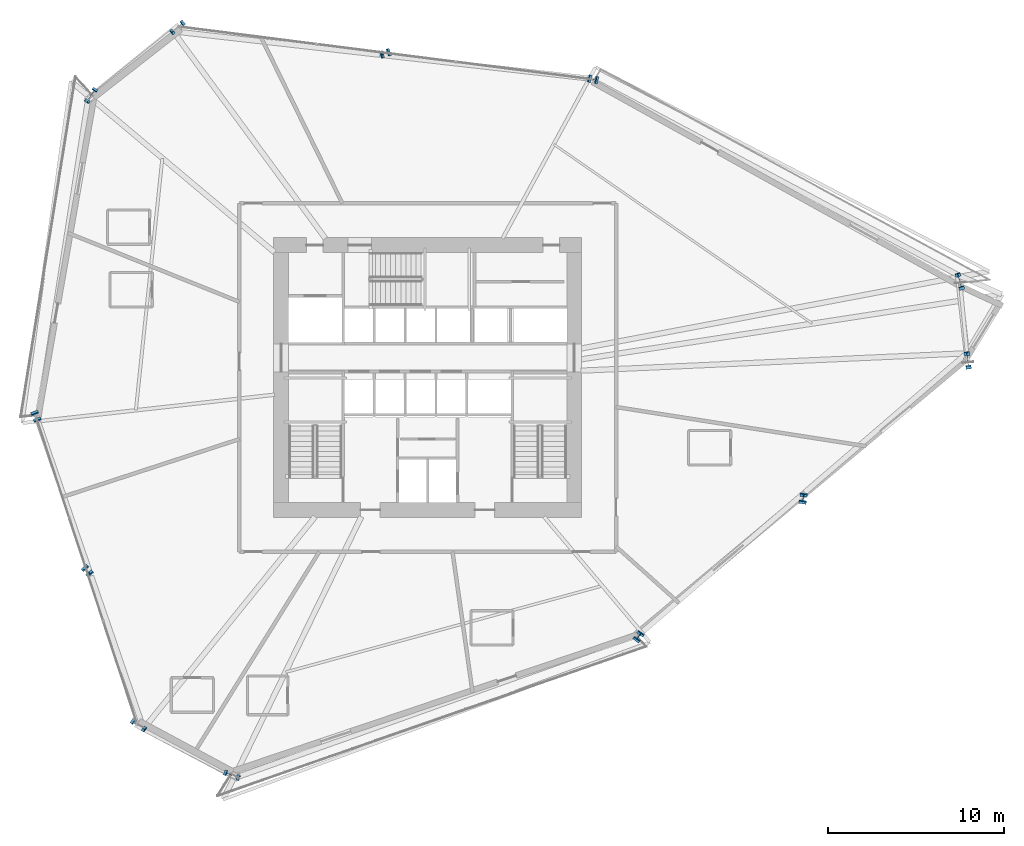
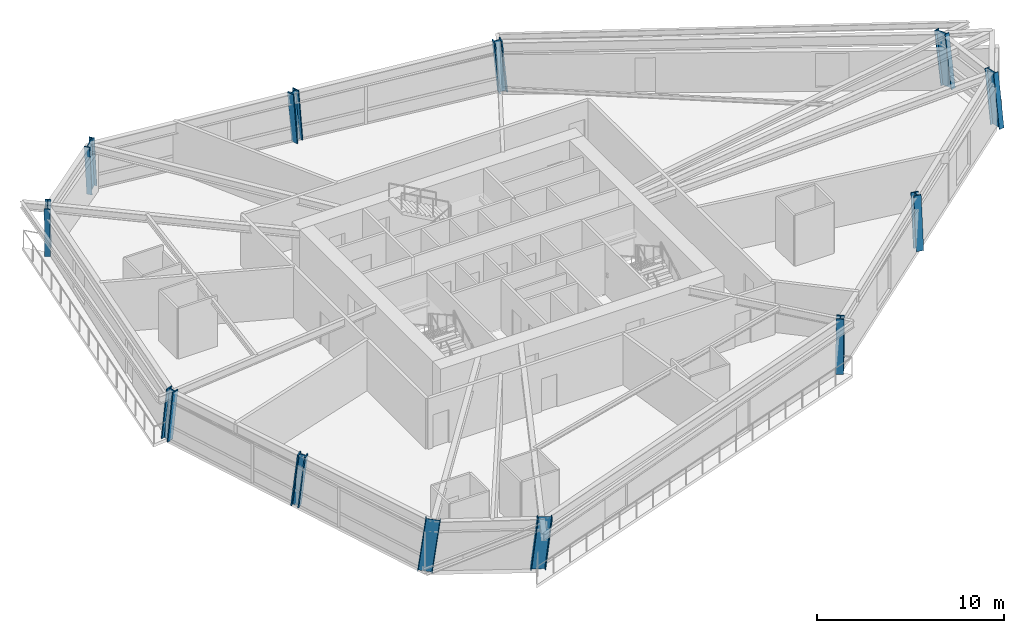
# One storey, part 1 of 22: 12 columns.
"""IFC4 building model written with IfcOpenShell, lengths in metres."""

import ifcopenshell
import ifcopenshell.guid

model = None  # the IFC model being written
_history = None  # IfcOwnerHistory: only IFC2X3 demands one
_inside = {}  # id of a spatial element -> (the spatial element, [elements in it])
_under = {}  # id of a project, library or spatial element -> (it, [spatial elements below it])
_declared = {}  # id of a project -> (the project, [libraries it declares])
_typed = {}  # id of a type object -> (the type object, [elements of that type])
_made_of = {}  # id of a material, layer set ... -> (it, [elements and type objects made of it])


def new_model(schema):
    """Start an empty IFC model of exactly this schema.

    Asked for "IFC4X3", IfcOpenShell would pick the latest addendum, in which some entities
    have other attributes; the version numbers below select the first issue.
    IFC2X3 requires an IfcOwnerHistory on every rooted entity: one is made here for all.
    """
    global model, _history
    if schema == "IFC4X3":
        model = ifcopenshell.file(schema_version=(4, 3, 0, 0))
    else:
        model = ifcopenshell.file(schema=schema)
    _inside.clear()
    _under.clear()
    _declared.clear()
    _typed.clear()
    _made_of.clear()
    _history = None
    if model.schema == "IFC2X3":
        org = make("IfcOrganization", Name="unknown")
        user = make(
            "IfcPersonAndOrganization",
            ThePerson=make("IfcPerson", FamilyName="unknown"),
            TheOrganization=org,
        )
        app = make(
            "IfcApplication",
            ApplicationDeveloper=org,
            Version="unknown",
            ApplicationFullName="unknown",
            ApplicationIdentifier="unknown",
        )
        _history = make(
            "IfcOwnerHistory",
            OwningUser=user,
            OwningApplication=app,
            ChangeAction="ADDED",
            CreationDate=0,
        )
    return model


def make(cls, **values):
    """One entity of the class cls with the attributes given. An attribute that is None is left unset."""
    return model.create_entity(
        cls, **{name: value for name, value in values.items() if value is not None}
    )


def rooted(cls, **values):
    """An entity with a GlobalId (a new one), such as an element, a storey or a relation."""
    return make(cls, GlobalId=ifcopenshell.guid.new(), OwnerHistory=_history, **values)


def si_unit(unit_type, name, prefix=None):
    """IfcSIUnit, for example si_unit("LENGTHUNIT", "METRE", prefix="MILLI")."""
    return make("IfcSIUnit", UnitType=unit_type, Prefix=prefix, Name=name)


def assignment(units):
    """IfcUnitAssignment: the units of a project."""
    return None if units is None else make("IfcUnitAssignment", Units=units)


def point(xyz):
    """IfcCartesianPoint."""
    return None if xyz is None else make("IfcCartesianPoint", Coordinates=xyz)


def direction(xyz):
    """IfcDirection."""
    return None if xyz is None else make("IfcDirection", DirectionRatios=xyz)


def frame(location, z_axis=None, x_axis=None):
    """IfcAxis2Placement3D, a coordinate frame: its origin and axes. An axis left out is left unset."""
    return make(
        "IfcAxis2Placement3D",
        Location=point(location),
        Axis=direction(z_axis),
        RefDirection=direction(x_axis),
    )


def frame_2d(location, x_axis=None):
    """IfcAxis2Placement2D, a coordinate frame in the plane: its origin and x axis."""
    return make(
        "IfcAxis2Placement2D", Location=point(location), RefDirection=direction(x_axis)
    )


def origin():
    """The frame at (0, 0, 0) with its axes left unset."""
    return frame((0.0, 0.0, 0.0))


def origin_2d():
    """The frame at (0, 0) in the plane with its x axis left unset."""
    return frame_2d((0.0, 0.0))


def place(relative_to, where):
    """IfcLocalPlacement: puts the frame where relative to a parent placement (None: the world)."""
    return make(
        "IfcLocalPlacement", PlacementRelTo=relative_to, RelativePlacement=where
    )


def context(
    kind, dimensions, precision=None, world=None, true_north=None, identifier=None
):
    """IfcGeometricRepresentationContext, for example the 3D "Model" context."""
    return make(
        "IfcGeometricRepresentationContext",
        ContextIdentifier=identifier,
        ContextType=kind,
        CoordinateSpaceDimension=dimensions,
        Precision=precision,
        WorldCoordinateSystem=world,
        TrueNorth=true_north,
    )


def subcontext(parent, identifier, kind, view, scale=None):
    """IfcGeometricRepresentationSubContext, for example "Body" below "Model"."""
    return make(
        "IfcGeometricRepresentationSubContext",
        ContextIdentifier=identifier,
        ContextType=kind,
        ParentContext=parent,
        TargetScale=scale,
        TargetView=view,
    )


def project(units=None, contexts=None):
    """IfcProject with its units and contexts."""
    return rooted(
        "IfcProject",
        Name="project",
        RepresentationContexts=contexts,
        UnitsInContext=assignment(units),
    )


def spatial(cls, under=None, at=None, **own):
    """A site, building, storey or space (cls), placed at a placement, below another one or the project."""
    s = rooted(cls, ObjectPlacement=at, **own)
    if under is not None:
        _under.setdefault(under.id(), (under, []))[1].append(s)
    return s


def profile(cls, at=None, kind="AREA", **sizes):
    """A parametric profile (cls). Its sizes go by their IFC names, for example OverallWidth=200.0."""
    return make(cls, ProfileType=kind, Position=at, **sizes)


def i_section(**sizes):
    """IfcIShapeProfileDef."""
    return profile("IfcIShapeProfileDef", **sizes)


def extrude(swept, where, along, depth):
    """IfcExtrudedAreaSolid: the profile swept, set in the frame where, extruded along a direction by depth."""
    return make(
        "IfcExtrudedAreaSolid",
        SweptArea=swept,
        Position=where,
        ExtrudedDirection=direction(along),
        Depth=depth,
    )


def shape(context_of_items, identifier, shape_type, items):
    """IfcShapeRepresentation: the items that make up one representation, for example the "Body"."""
    return make(
        "IfcShapeRepresentation",
        ContextOfItems=context_of_items,
        RepresentationIdentifier=identifier,
        RepresentationType=shape_type,
        Items=items,
    )


def source(mapping_origin, context_of_items, identifier, shape_type, items):
    """IfcRepresentationMap: a shape defined once, which mapped items show again and again."""
    return make(
        "IfcRepresentationMap",
        MappingOrigin=mapping_origin,
        MappedRepresentation=shape(context_of_items, identifier, shape_type, items),
    )


def transform(
    local_origin,
    x_axis=None,
    y_axis=None,
    z_axis=None,
    scale=None,
    scale2=None,
    scale3=None,
    uniform=True,
):
    """IfcCartesianTransformationOperator3D, or its non-uniform kind. x_axis, y_axis, z_axis: its Axis1, 2, 3."""
    if uniform:
        return make(
            "IfcCartesianTransformationOperator3D",
            Axis1=direction(x_axis),
            Axis2=direction(y_axis),
            LocalOrigin=point(local_origin),
            Scale=scale,
            Axis3=direction(z_axis),
        )
    return make(
        "IfcCartesianTransformationOperator3DnonUniform",
        Axis1=direction(x_axis),
        Axis2=direction(y_axis),
        LocalOrigin=point(local_origin),
        Scale=scale,
        Axis3=direction(z_axis),
        Scale2=scale2,
        Scale3=scale3,
    )


def mapped(mapping_source, mapping_target):
    """IfcMappedItem: shows the shape of a source again, moved by a transform."""
    return make(
        "IfcMappedItem", MappingSource=mapping_source, MappingTarget=mapping_target
    )


def material(Name=None, Category=None):
    """IfcMaterial."""
    return make("IfcMaterial", Name=Name, Category=Category)


def material_profile(
    of_material, cross_section, Name=None, Category=None, Priority=None
):
    """IfcMaterialProfile: a cross section and its material."""
    return make(
        "IfcMaterialProfile",
        Name=Name,
        Material=of_material,
        Profile=cross_section,
        Priority=Priority,
        Category=Category,
    )


def profile_set(profiles, Name=None, composite=None):
    """IfcMaterialProfileSet."""
    return make(
        "IfcMaterialProfileSet",
        Name=Name,
        MaterialProfiles=profiles,
        CompositeProfile=composite,
    )


def made_of(thing, what):
    """Note that an element or type object is made of a material, layer set ...; save() writes the relation."""
    if what is not None:
        _made_of.setdefault(what.id(), (what, []))[1].append(thing)
    return thing


def type_object(cls, material=None, **own):
    """A type object (cls), such as IfcWallType, which elements share."""
    return made_of(rooted(cls, **own), material)


def element(
    cls,
    number,
    at=None,
    inside=None,
    cuts=None,
    type_object=None,
    material=None,
    context=None,
    identifier="Body",
    shape_type=None,
    held_by="IfcProductDefinitionShape",
    body=None,
    shapes=None,
    **own,
):
    """One element of the class cls, such as IfcWall. Its Tag is "e" and its number.

    at: its placement. inside: the storey or other place that contains it. cuts: it is an
    opening in that element (IfcRelVoidsElement). A single representation is given by context,
    identifier, shape_type and body (its items); several are given by shapes. held_by: the class
    of the entity that holds the representations. save() writes the other relations.
    """
    e = rooted(cls, Tag="e%d" % number, ObjectPlacement=at, **own)
    if body is not None:
        shapes = [shape(context, identifier, shape_type, body)]
    if shapes is not None:
        e.Representation = make(held_by, Representations=shapes)
    if inside is not None:
        _inside.setdefault(inside.id(), (inside, []))[1].append(e)
    if cuts is not None:
        rooted(
            "IfcRelVoidsElement", RelatingBuildingElement=cuts, RelatedOpeningElement=e
        )
    if type_object is not None:
        _typed.setdefault(type_object.id(), (type_object, []))[1].append(e)
    return made_of(e, material)


def aggregate(whole, parts):
    """IfcRelAggregates: a whole, such as a stair, and the parts it consists of."""
    return rooted("IfcRelAggregates", RelatingObject=whole, RelatedObjects=parts)


def save(model, path):
    """Write the relations noted so far, then the file.

    IfcRelAggregates (storeys below a building ...), IfcRelContainedInSpatialStructure (elements
    in a storey), IfcRelDefinesByType, IfcRelAssociatesMaterial and IfcRelDeclares: one each for
    every whole, place, type object, material and project.
    """
    for whole, parts in _under.values():
        aggregate(whole, parts)
    for where, things in _inside.values():
        rooted(
            "IfcRelContainedInSpatialStructure",
            RelatedElements=things,
            RelatingStructure=where,
        )
    for kind, things in _typed.values():
        rooted("IfcRelDefinesByType", RelatedObjects=things, RelatingType=kind)
    for what, things in _made_of.values():
        rooted("IfcRelAssociatesMaterial", RelatedObjects=things, RelatingMaterial=what)
    for by, libraries in _declared.values():
        rooted("IfcRelDeclares", RelatingContext=by, RelatedDefinitions=libraries)
    model.write(path)


model = new_model("IFC4")

# Units and contexts
model_context = context("Model", 3, precision=1e-05, world=origin(), true_north=direction((0.0, 1.0)))
body_context = subcontext(model_context, "Body", "Model", "MODEL_VIEW")
ifc_project = project(units=[si_unit("LENGTHUNIT", "METRE"), si_unit("AREAUNIT", "SQUARE_METRE"), si_unit("VOLUMEUNIT", "CUBIC_METRE"), si_unit("PLANEANGLEUNIT", "RADIAN"), si_unit("MASSUNIT", "GRAM", prefix="KILO")], contexts=[model_context])

# Site, building, storey
site_placement = place(None, origin())
site = spatial("IfcSite", under=ifc_project, at=site_placement, CompositionType="ELEMENT")
building_placement = place(site_placement, origin())
building = spatial("IfcBuilding", under=site, at=building_placement, Name="Olszyna Solenne Hotel", CompositionType="ELEMENT")
storey_placement = place(building_placement, frame((0.0, 0.0, 57.699951171875)))
storey = spatial("IfcBuildingStorey", under=building, at=storey_placement, Name="L14", CompositionType="ELEMENT", Elevation=57.699951171875)

# Columns
ifc_material = material(Name="Steel S460M", Category="steel")
ifc_material_profile_1 = material_profile(ifc_material, i_section(OverallWidth=0.424072265625, OverallDepth=0.47412109375, WebThickness=0.04296875, FlangeThickness=0.068115234375, at=origin_2d()), Name="HD 400x634", Category="load-bearing")
ifc_profile_set_1 = profile_set([ifc_material_profile_1], Name="Steel S460M")
column_type_1 = type_object("IfcColumnType", Name="COL-T1", PredefinedType="COLUMN", material=ifc_profile_set_1)
shared_shape_1 = source(origin(), body_context, "Body", "SweptSolid", [
    extrude(i_section(OverallWidth=0.424072265625, OverallDepth=0.47412109375, WebThickness=0.04296875, FlangeThickness=0.068115234375, at=origin_2d()), origin(), (0.0, 0.0, 1.0), 3.406494140625),
])
column_1_placement = place(storey_placement, frame((59.321044921875, 19.658203125, 0.0), z_axis=(0.01720061386, 0.110800620948, 0.993693796539), x_axis=(-0.988163882258, 0.15340189634, 0.0)))
element("IfcColumn", 1, at=column_1_placement, inside=storey, type_object=column_type_1, Name="Perimeter framed-tube column COL-T1 C-L14-12", PredefinedType="COLUMN", context=body_context, shape_type="MappedRepresentation", body=[
    mapped(shared_shape_1, transform((0.0, 0.0, 0.0), x_axis=(1.0, 0.0, 0.0), y_axis=(0.0, 1.0, 0.0), z_axis=(0.0, 0.0, 1.0), scale=1.0)),
])
shared_shape_2 = source(origin(), body_context, "Body", "SweptSolid", [
    extrude(i_section(OverallWidth=0.424072265625, OverallDepth=0.47412109375, WebThickness=0.04296875, FlangeThickness=0.068115234375, at=origin_2d()), origin(), (0.0, 0.0, 1.0), 3.400146484375),
])
column_2_placement = place(storey_placement, frame((35.64111328125, 45.03466796875, 0.0), z_axis=(-0.089682073274, -0.028936649743, 0.995549996753), x_axis=(0.307069567299, -0.951687070858, 0.0)))
element("IfcColumn", 2, at=column_2_placement, inside=storey, type_object=column_type_1, Name="Perimeter framed-tube column COL-T1 C-L14-04", PredefinedType="COLUMN", context=body_context, shape_type="MappedRepresentation", body=[
    mapped(shared_shape_2, transform((0.0, 0.0, 0.0), x_axis=(1.0, 0.0, 0.0), y_axis=(0.0, 1.0, 0.0), z_axis=(0.0, 0.0, 1.0), scale=1.0)),
])
ifc_material_profile_2 = material_profile(ifc_material, i_section(OverallWidth=0.30810546875, OverallDepth=0.81396484375, WebThickness=0.02099609375, FlangeThickness=0.0400390625, at=origin_2d()), Name="HEM 800", Category="load-bearing")
ifc_profile_set_2 = profile_set([ifc_material_profile_2], Name="Steel S460M")
column_type_2 = type_object("IfcColumnType", Name="COL-K1", PredefinedType="COLUMN", material=ifc_profile_set_2)
shared_shape_3 = source(origin(), body_context, "Body", "SweptSolid", [
    extrude(i_section(OverallWidth=0.30810546875, OverallDepth=0.81396484375, WebThickness=0.02099609375, FlangeThickness=0.0400390625, at=origin_2d()), origin(), (0.0, 0.0, 1.0), 3.412109375),
])
column_3_placement = place(storey_placement, frame((21.501220703125, 6.88720703125, 0.0), z_axis=(0.103893431056, -0.070764878315, 0.992067783461), x_axis=(0.562948190557, 0.826492186744, 0.0)))
element("IfcColumn", 3, at=column_3_placement, inside=storey, type_object=column_type_2, Name="Perimeter framed-tube column COL-K1 C-L14-09", PredefinedType="COLUMN", context=body_context, shape_type="MappedRepresentation", body=[
    mapped(shared_shape_3, transform((0.0, 0.0, 0.0), x_axis=(1.0, 0.0, 0.0), y_axis=(0.0, 1.0, 0.0), z_axis=(0.0, 0.0, 1.0), scale=1.0)),
])
shared_shape_4 = source(origin(), body_context, "Body", "SweptSolid", [
    extrude(i_section(OverallWidth=0.424072265625, OverallDepth=0.47412109375, WebThickness=0.04296875, FlangeThickness=0.068115234375, at=origin_2d()), origin(), (0.0, 0.0, 1.0), 3.399169921875),
])
column_4_placement = place(storey_placement, frame((47.446533203125, 43.531494140625, 0.0), z_axis=(-0.088704881702, 0.019608447534, 0.995864926959), x_axis=(-0.215842043801, -0.976428293387, 0.0)))
element("IfcColumn", 4, at=column_4_placement, inside=storey, type_object=column_type_1, Name="Perimeter framed-tube column COL-T1 C-L14-03", PredefinedType="COLUMN", context=body_context, shape_type="MappedRepresentation", body=[
    mapped(shared_shape_4, transform((0.0, 0.0, 0.0), x_axis=(1.0, 0.0, 0.0), y_axis=(0.0, 1.0, 0.0), z_axis=(0.0, 0.0, 1.0), scale=1.0)),
])
shared_shape_5 = source(origin(), body_context, "Body", "SweptSolid", [
    extrude(i_section(OverallWidth=0.30810546875, OverallDepth=0.81396484375, WebThickness=0.02099609375, FlangeThickness=0.0400390625, at=origin_2d()), origin(), (0.0, 0.0, 1.0), 3.4091796875),
])
column_5_placement = place(storey_placement, frame((23.835693359375, 46.537841796875, 0.0), z_axis=(-0.090445857066, -0.077269263479, 0.992899293917), x_axis=(0.649551107767, -0.760317932446, 0.0)))
element("IfcColumn", 5, at=column_5_placement, inside=storey, type_object=column_type_2, Name="Perimeter framed-tube column COL-K1 C-L14-05", PredefinedType="COLUMN", context=body_context, shape_type="MappedRepresentation", body=[
    mapped(shared_shape_5, transform((0.0, 0.0, 0.0), x_axis=(1.0, 0.0, 0.0), y_axis=(0.0, 1.0, 0.0), z_axis=(0.0, 0.0, 1.0), scale=1.0)),
])
shared_shape_6 = source(origin(), body_context, "Body", "SweptSolid", [
    extrude(i_section(OverallWidth=0.30810546875, OverallDepth=0.81396484375, WebThickness=0.02099609375, FlangeThickness=0.0400390625, at=origin_2d()), origin(), (0.0, 0.0, 1.0), 3.406005859375),
])
column_6_placement = place(storey_placement, frame((26.810546875, 4.028564453125, 0.0), z_axis=(0.103719062192, -0.039423278649, 0.993825015402), x_axis=(0.355296786951, 0.934753546761, 0.0)))
element("IfcColumn", 6, at=column_6_placement, inside=storey, type_object=column_type_2, Name="Perimeter framed-tube column COL-K1 C-L14-10", PredefinedType="COLUMN", context=body_context, shape_type="MappedRepresentation", body=[
    mapped(shared_shape_6, transform((0.0, 0.0, 0.0), x_axis=(1.0, 0.0, 0.0), y_axis=(0.0, 1.0, 0.0), z_axis=(0.0, 0.0, 1.0), scale=1.0)),
])
shared_shape_7 = source(origin(), body_context, "Body", "SweptSolid", [
    extrude(i_section(OverallWidth=0.30810546875, OverallDepth=0.81396484375, WebThickness=0.02099609375, FlangeThickness=0.0400390625, at=origin_2d()), origin(), (0.0, 0.0, 1.0), 3.421630859375),
])
column_7_placement = place(storey_placement, frame((68.693115234375, 27.483642578125, 0.0), z_axis=(-0.018551244959, 0.144842412568, 0.98928081293), x_axis=(-0.991897459726, -0.127041053955, 0.0)))
element("IfcColumn", 7, at=column_7_placement, inside=storey, type_object=column_type_2, Name="Perimeter framed-tube column COL-K1 C-L14-01", PredefinedType="COLUMN", context=body_context, shape_type="MappedRepresentation", body=[
    mapped(shared_shape_7, transform((0.0, 0.0, 0.0), x_axis=(1.0, 0.0, 0.0), y_axis=(0.0, 1.0, 0.0), z_axis=(0.0, 0.0, 1.0), scale=1.0)),
])
shared_shape_8 = source(origin(), body_context, "Body", "SweptSolid", [
    extrude(i_section(OverallWidth=0.30810546875, OverallDepth=0.81396484375, WebThickness=0.02099609375, FlangeThickness=0.0400390625, at=origin_2d()), origin(), (0.0, 0.0, 1.0), 3.417236328125),
])
column_8_placement = place(storey_placement, frame((68.25634765625, 31.97900390625, 0.0), z_axis=(-0.038007603736, 0.13174064152, 0.990555311646), x_axis=(-0.960812916896, -0.277197652814, 0.0)))
element("IfcColumn", 8, at=column_8_placement, inside=storey, type_object=column_type_2, Name="Perimeter framed-tube column COL-K1 C-L14-02", PredefinedType="COLUMN", context=body_context, shape_type="MappedRepresentation", body=[
    mapped(shared_shape_8, transform((0.0, 0.0, 0.0), x_axis=(1.0, 0.0, 0.0), y_axis=(0.0, 1.0, 0.0), z_axis=(0.0, 0.0, 1.0), scale=1.0)),
])
shared_shape_9 = source(origin(), body_context, "Body", "SweptSolid", [
    extrude(i_section(OverallWidth=0.30810546875, OverallDepth=0.81396484375, WebThickness=0.02099609375, FlangeThickness=0.0400390625, at=origin_2d()), origin(), (0.0, 0.0, 1.0), 3.405029296875),
])
column_9_placement = place(storey_placement, frame((18.903076171875, 42.68359375, 0.0), z_axis=(-0.060441534737, -0.090124566031, 0.994094755784), x_axis=(0.830522417348, -0.556985201133, 0.0)))
element("IfcColumn", 9, at=column_9_placement, inside=storey, type_object=column_type_2, Name="Perimeter framed-tube column COL-K1 C-L14-06", PredefinedType="COLUMN", context=body_context, shape_type="MappedRepresentation", body=[
    mapped(shared_shape_9, transform((0.0, 0.0, 0.0), x_axis=(1.0, 0.0, 0.0), y_axis=(0.0, 1.0, 0.0), z_axis=(0.0, 0.0, 1.0), scale=1.0)),
])
shared_shape_10 = source(origin(), body_context, "Body", "SweptSolid", [
    extrude(i_section(OverallWidth=0.424072265625, OverallDepth=0.47412109375, WebThickness=0.04296875, FlangeThickness=0.068115234375, at=origin_2d()), origin(), (0.0, 0.0, 1.0), 3.404541015625),
])
column_10_placement = place(storey_placement, frame((15.71728515625, 24.4599609375, 0.0), z_axis=(0.038221610545, -0.099892501857, 0.994263846552), x_axis=(0.933966291378, 0.357361115078, 0.0)))
element("IfcColumn", 10, at=column_10_placement, inside=storey, type_object=column_type_1, Name="Perimeter framed-tube column COL-T1 C-L14-07", PredefinedType="COLUMN", context=body_context, shape_type="MappedRepresentation", body=[
    mapped(shared_shape_10, transform((0.0, 0.0, 0.0), x_axis=(1.0, 0.0, 0.0), y_axis=(0.0, 1.0, 0.0), z_axis=(0.0, 0.0, 1.0), scale=1.0)),
])
shared_shape_11 = source(origin(), body_context, "Body", "SweptSolid", [
    extrude(i_section(OverallWidth=0.424072265625, OverallDepth=0.47412109375, WebThickness=0.04296875, FlangeThickness=0.068115234375, at=origin_2d()), origin(), (0.0, 0.0, 1.0), 3.406005859375),
])
column_11_placement = place(storey_placement, frame((18.609375, 15.673583984375, 0.0), z_axis=(0.071104119883, -0.085367950384, 0.993809094939), x_axis=(0.768379900742, 0.639994006328, 0.0)))
element("IfcColumn", 11, at=column_11_placement, inside=storey, type_object=column_type_1, Name="Perimeter framed-tube column COL-T1 C-L14-08", PredefinedType="COLUMN", context=body_context, shape_type="MappedRepresentation", body=[
    mapped(shared_shape_11, transform((0.0, 0.0, 0.0), x_axis=(1.0, 0.0, 0.0), y_axis=(0.0, 1.0, 0.0), z_axis=(0.0, 0.0, 1.0), scale=1.0)),
])
shared_shape_12 = source(origin(), body_context, "Body", "SweptSolid", [
    extrude(i_section(OverallWidth=0.424072265625, OverallDepth=0.47412109375, WebThickness=0.04296875, FlangeThickness=0.068115234375, at=origin_2d()), origin(), (0.0, 0.0, 1.0), 3.399658203125),
])
column_12_placement = place(storey_placement, frame((49.948974609375, 11.832763671875, 0.0), z_axis=(0.053212337596, 0.076263836069, 0.995666748684), x_axis=(-0.820101671528, 0.572217832959, 0.0)))
element("IfcColumn", 12, at=column_12_placement, inside=storey, type_object=column_type_1, Name="Perimeter framed-tube column COL-T1 C-L14-11", PredefinedType="COLUMN", context=body_context, shape_type="MappedRepresentation", body=[
    mapped(shared_shape_12, transform((0.0, 0.0, 0.0), x_axis=(1.0, 0.0, 0.0), y_axis=(0.0, 1.0, 0.0), z_axis=(0.0, 0.0, 1.0), scale=1.0)),
])

save(model, "model.ifc")
